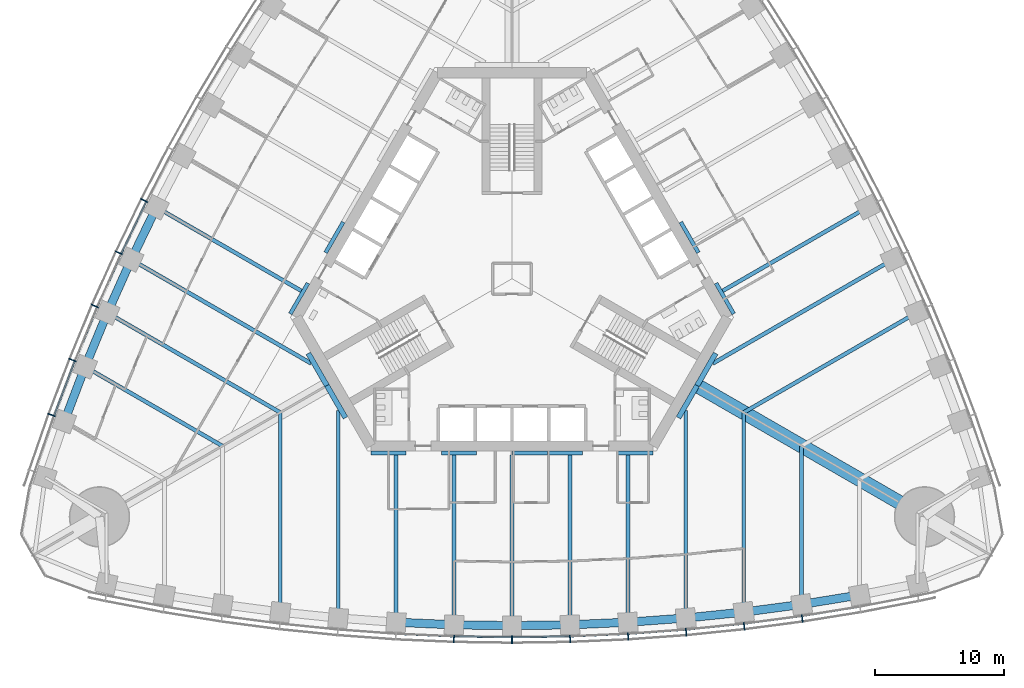
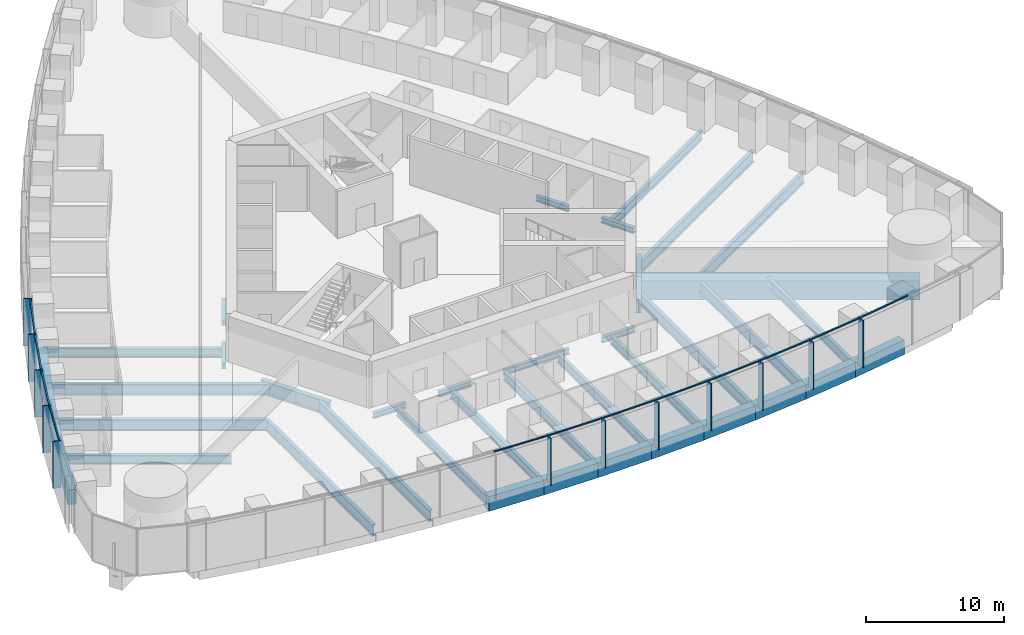
# One storey, part 3 of 18: 43 beams, 24 members, 2 elements without a shape of their own.
"""IFC4 building model written with IfcOpenShell, lengths in metres."""

from ifc_helpers import new_model, si_unit, direction, frame, origin, origin_2d, place, context, subcontext, project, spatial, rectangle, i_section, extrude, material, material_profile, profile_set, type_object, element, aggregate, save


model = new_model("IFC4")

# Units and contexts
model_context = context("Model", 3, precision=1e-05, world=origin(), true_north=direction((0.0, 1.0)))
body_context = subcontext(model_context, "Body", "Model", "MODEL_VIEW")
ifc_project = project(units=[si_unit("LENGTHUNIT", "METRE"), si_unit("AREAUNIT", "SQUARE_METRE"), si_unit("VOLUMEUNIT", "CUBIC_METRE"), si_unit("PLANEANGLEUNIT", "RADIAN"), si_unit("MASSUNIT", "GRAM", prefix="KILO")], contexts=[model_context])

# Site, building, storey
site_placement = place(None, origin())
site = spatial("IfcSite", under=ifc_project, at=site_placement, CompositionType="ELEMENT")
building_placement = place(site_placement, origin())
building = spatial("IfcBuilding", under=site, at=building_placement, Name="Trefoil Bronze Tower", CompositionType="ELEMENT")
storey_placement = place(building_placement, frame((0.0, 0.0, 24.89990234375)))
storey = spatial("IfcBuildingStorey", under=building, at=storey_placement, Name="L05", CompositionType="ELEMENT", Elevation=24.89990234375)

# Curtain wall, members
ifc_material_1 = material(Name="Tinted solar-control glass", Category="glass")
curtain_wall_type = type_object("IfcCurtainWallType", Name="Bronze office curtain wall", PredefinedType="USERDEFINED", material=ifc_material_1)
curtain_wall_1_placement = place(storey_placement, origin())
curtain_wall_1 = element("IfcCurtainWall", 1, at=curtain_wall_1_placement, inside=storey, type_object=curtain_wall_type, Name="CW-A L05 F1", ObjectType="CURTAIN WALL", PredefinedType="USERDEFINED")
ifc_material_2 = material(Name="Bronze-finish aluminium", Category="aluminium")
ifc_material_profile_1 = material_profile(ifc_material_2, rectangle(XDim=0.60009765625, YDim=0.080078125, at=origin_2d()), Name="CW-A mullion")
ifc_profile_set_1 = profile_set([ifc_material_profile_1], Name="Bronze-finish aluminium")
member_type_1 = type_object("IfcMemberType", Name="Bronze office curtain wall mullion", PredefinedType="MULLION", material=ifc_profile_set_1)
member_1_placement = place(storey_placement, frame((-4.5087890625, -27.9833984375, 0.0), z_axis=(0.0, 0.0, 1.0), x_axis=(0.029021671584, 0.999578782577, 0.0)))
member_1 = element("IfcMember", 2, at=member_1_placement, type_object=member_type_1, Name="CW-A L05 F1 mullion 8", PredefinedType="MULLION", context=body_context, shape_type="SweptSolid", body=[
    extrude(rectangle(XDim=0.60009765625, YDim=0.080078125, at=origin_2d()), origin(), (0.0, 0.0, 1.0), 4.18017578125),
])
member_2_placement = place(storey_placement, frame((0.0, -28.048828125, 0.0), z_axis=(0.0, 0.0, 1.0), x_axis=(0.0, 1.0, 0.0)))
member_2 = element("IfcMember", 3, at=member_2_placement, type_object=member_type_1, Name="CW-A L05 F1 mullion 9", PredefinedType="MULLION", context=body_context, shape_type="SweptSolid", body=[
    extrude(rectangle(XDim=0.60009765625, YDim=0.080078125, at=origin_2d()), origin(), (0.0, 0.0, 1.0), 4.18017578125),
])
member_3_placement = place(storey_placement, frame((4.5087890625, -27.9833984375, 0.0), z_axis=(0.0, 0.0, 1.0), x_axis=(-0.029021671584, 0.999578782577, 0.0)))
member_3 = element("IfcMember", 4, at=member_3_placement, type_object=member_type_1, Name="CW-A L05 F1 mullion 10", PredefinedType="MULLION", context=body_context, shape_type="SweptSolid", body=[
    extrude(rectangle(XDim=0.60009765625, YDim=0.080078125, at=origin_2d()), origin(), (0.0, 0.0, 1.0), 4.18017578125),
])
member_4_placement = place(storey_placement, frame((9.017333984375, -27.786865234375, 0.0), z_axis=(0.0, 0.0, 1.0), x_axis=(-0.058043374207, 0.998314062162, 0.0)))
member_4 = element("IfcMember", 5, at=member_4_placement, type_object=member_type_1, Name="CW-A L05 F1 mullion 11", PredefinedType="MULLION", context=body_context, shape_type="SweptSolid", body=[
    extrude(rectangle(XDim=0.60009765625, YDim=0.080078125, at=origin_2d()), origin(), (0.0, 0.0, 1.0), 4.18017578125),
])
member_5_placement = place(storey_placement, frame((13.526123046875, -27.458984375, 0.0), z_axis=(0.0, 0.0, 1.0), x_axis=(-0.087065139456, 0.996202620701, 0.0)))
member_5 = element("IfcMember", 6, at=member_5_placement, type_object=member_type_1, Name="CW-A L05 F1 mullion 12", PredefinedType="MULLION", context=body_context, shape_type="SweptSolid", body=[
    extrude(rectangle(XDim=0.60009765625, YDim=0.080078125, at=origin_2d()), origin(), (0.0, 0.0, 1.0), 4.18017578125),
])
member_6_placement = place(storey_placement, frame((18.034912109375, -26.99853515625, 0.0), z_axis=(0.0, 0.0, 1.0), x_axis=(-0.116086999973, 0.993239048989, 0.0)))
member_6 = element("IfcMember", 7, at=member_6_placement, type_object=member_type_1, Name="CW-A L05 F1 mullion 13", PredefinedType="MULLION", context=body_context, shape_type="SweptSolid", body=[
    extrude(rectangle(XDim=0.60009765625, YDim=0.080078125, at=origin_2d()), origin(), (0.0, 0.0, 1.0), 4.18017578125),
])
member_7_placement = place(storey_placement, frame((22.54345703125, -26.40478515625, 0.0), z_axis=(0.0, 0.0, 1.0), x_axis=(-0.145108990094, 0.989415676546, 0.0)))
member_7 = element("IfcMember", 8, at=member_7_placement, type_object=member_type_1, Name="CW-A L05 F1 mullion 14", PredefinedType="MULLION", context=body_context, shape_type="SweptSolid", body=[
    extrude(rectangle(XDim=0.60009765625, YDim=0.080078125, at=origin_2d()), origin(), (0.0, 0.0, 1.0), 4.18017578125),
])

curtain_wall_2_placement = place(storey_placement, origin())
curtain_wall_2 = element("IfcCurtainWall", 9, at=curtain_wall_2_placement, inside=storey, type_object=curtain_wall_type, Name="CW-A L05 F3", ObjectType="CURTAIN WALL", PredefinedType="USERDEFINED")
member_8_placement = place(storey_placement, frame((-28.57275390625, 6.084228515625, 0.0), z_axis=(0.0, 0.0, 1.0), x_axis=(0.893587025891, -0.448889994497, 0.0)))
member_8 = element("IfcMember", 10, at=member_8_placement, type_object=member_type_1, Name="CW-A L05 F3 mullion 11", PredefinedType="MULLION", context=body_context, shape_type="SweptSolid", body=[
    extrude(rectangle(XDim=0.60009765625, YDim=0.080078125, at=origin_2d()), origin(), (0.0, 0.0, 1.0), 4.18017578125),
])
member_9_placement = place(storey_placement, frame((-30.543212890625, 2.015380859375, 0.0), z_axis=(0.0, 0.0, 1.0), x_axis=(0.906269346572, -0.422700687798, 0.0)))
member_9 = element("IfcMember", 11, at=member_9_placement, type_object=member_type_1, Name="CW-A L05 F3 mullion 12", PredefinedType="MULLION", context=body_context, shape_type="SweptSolid", body=[
    extrude(rectangle(XDim=0.60009765625, YDim=0.080078125, at=origin_2d()), origin(), (0.0, 0.0, 1.0), 4.18017578125),
])
member_10_placement = place(storey_placement, frame((-32.39892578125, -2.119384765625, 0.0), z_axis=(0.0, 0.0, 1.0), x_axis=(0.918213748442, -0.396085233469, 0.0)))
member_10 = element("IfcMember", 12, at=member_10_placement, type_object=member_type_1, Name="CW-A L05 F3 mullion 13", PredefinedType="MULLION", context=body_context, shape_type="SweptSolid", body=[
    extrude(rectangle(XDim=0.60009765625, YDim=0.080078125, at=origin_2d()), origin(), (0.0, 0.0, 1.0), 4.18017578125),
])
member_11_placement = place(storey_placement, frame((-34.138916015625, -6.32080078125, 0.0), z_axis=(0.0, 0.0, 1.0), x_axis=(0.929413605838, -0.369039766534, 0.0)))
member_11 = element("IfcMember", 13, at=member_11_placement, type_object=member_type_1, Name="CW-A L05 F3 mullion 14", PredefinedType="MULLION", context=body_context, shape_type="SweptSolid", body=[
    extrude(rectangle(XDim=0.60009765625, YDim=0.080078125, at=origin_2d()), origin(), (0.0, 0.0, 1.0), 4.18017578125),
])
member_12_placement = place(storey_placement, frame((-35.761962890625, -10.590087890625, 0.0), z_axis=(0.0, 0.0, 1.0), x_axis=(0.939860248316, -0.341559238839, 0.0)))
member_12 = element("IfcMember", 14, at=member_12_placement, type_object=member_type_1, Name="CW-A L05 F3 mullion 15", PredefinedType="MULLION", context=body_context, shape_type="SweptSolid", body=[
    extrude(rectangle(XDim=0.60009765625, YDim=0.080078125, at=origin_2d()), origin(), (0.0, 0.0, 1.0), 4.18017578125),
])

# Member
ifc_material_3 = material(Name="Bronze-finish aluminium", Category="aluminium")
ifc_material_profile_2 = material_profile(ifc_material_3, rectangle(XDim=0.1201171875, YDim=0.10009765625, at=origin_2d()), Name="CW-A transom")
ifc_profile_set_2 = profile_set([ifc_material_profile_2], Name="Bronze-finish aluminium")
member_type_2 = type_object("IfcMemberType", Name="Bronze office curtain wall transom", PredefinedType="USERDEFINED", material=ifc_profile_set_2)
member_13_placement = place(storey_placement, frame((-8.96435546875, -27.589111328125, 4.130126953125), z_axis=(0.999054074786, -0.043485119914, 0.0), x_axis=(0.043485119914, 0.999054074786, 0.0)))
member_13 = element("IfcMember", 15, at=member_13_placement, type_object=member_type_2, Name="CW-A L05 F1 transom 7", ObjectType="TRANSOM", PredefinedType="USERDEFINED", context=body_context, shape_type="SweptSolid", body=[
    extrude(rectangle(XDim=0.1201171875, YDim=0.10009765625, at=origin_2d()), origin(), (0.0, 0.0, 1.0), 4.424072265625),
])

member_14_placement = place(storey_placement, frame((-4.46142578125, -27.783935546875, 4.130126953125), z_axis=(0.999894497273, -0.014525643658, 0.0), x_axis=(0.014525643658, 0.999894497273, 0.0)))
member_14 = element("IfcMember", 16, at=member_14_placement, type_object=member_type_2, Name="CW-A L05 F1 transom 8", ObjectType="TRANSOM", PredefinedType="USERDEFINED", context=body_context, shape_type="SweptSolid", body=[
    extrude(rectangle(XDim=0.1201171875, YDim=0.10009765625, at=origin_2d()), origin(), (0.0, 0.0, 1.0), 4.42041015625),
])

member_15_placement = place(storey_placement, frame((0.04150390625, -27.84814453125, 4.130126953125), z_axis=(0.999894497273, 0.014525643658, 0.0), x_axis=(-0.014525643658, 0.999894497273, 0.0)))
member_15 = element("IfcMember", 17, at=member_15_placement, type_object=member_type_2, Name="CW-A L05 F1 transom 9", ObjectType="TRANSOM", PredefinedType="USERDEFINED", context=body_context, shape_type="SweptSolid", body=[
    extrude(rectangle(XDim=0.1201171875, YDim=0.10009765625, at=origin_2d()), origin(), (0.0, 0.0, 1.0), 4.42041015625),
])

member_16_placement = place(storey_placement, frame((4.54443359375, -27.781494140625, 4.130126953125), z_axis=(0.999054074786, 0.043485119914, 0.0), x_axis=(-0.043485119914, 0.999054074786, 0.0)))
member_16 = element("IfcMember", 18, at=member_16_placement, type_object=member_type_2, Name="CW-A L05 F1 transom 10", ObjectType="TRANSOM", PredefinedType="USERDEFINED", context=body_context, shape_type="SweptSolid", body=[
    extrude(rectangle(XDim=0.1201171875, YDim=0.10009765625, at=origin_2d()), origin(), (0.0, 0.0, 1.0), 4.424072265625),
])

member_17_placement = place(storey_placement, frame((9.047119140625, -27.584228515625, 4.130126953125), z_axis=(0.997364729945, 0.07255064067, 0.0), x_axis=(-0.07255064067, 0.997364729945, 0.0)))
member_17 = element("IfcMember", 19, at=member_17_placement, type_object=member_type_2, Name="CW-A L05 F1 transom 11", ObjectType="TRANSOM", PredefinedType="USERDEFINED", context=body_context, shape_type="SweptSolid", body=[
    extrude(rectangle(XDim=0.1201171875, YDim=0.10009765625, at=origin_2d()), origin(), (0.0, 0.0, 1.0), 4.431884765625),
])

member_18_placement = place(storey_placement, frame((13.550048828125, -27.25537109375, 4.130126953125), z_axis=(0.994831650915, 0.101538102888, 0.0), x_axis=(-0.101538102888, 0.994831650915, 0.0)))
member_18 = element("IfcMember", 20, at=member_18_placement, type_object=member_type_2, Name="CW-A L05 F1 transom 12", ObjectType="TRANSOM", PredefinedType="USERDEFINED", context=body_context, shape_type="SweptSolid", body=[
    extrude(rectangle(XDim=0.1201171875, YDim=0.10009765625, at=origin_2d()), origin(), (0.0, 0.0, 1.0), 4.443359375),
])

member_19_placement = place(storey_placement, frame((18.052734375, -26.79443359375, 4.130126953125), z_axis=(0.991436581643, 0.13058906761, 0.0), x_axis=(-0.13058906761, 0.991436581643, 0.0)))
member_19 = element("IfcMember", 21, at=member_19_placement, type_object=member_type_2, Name="CW-A L05 F1 transom 13", ObjectType="TRANSOM", PredefinedType="USERDEFINED", context=body_context, shape_type="SweptSolid", body=[
    extrude(rectangle(XDim=0.1201171875, YDim=0.10009765625, at=origin_2d()), origin(), (0.0, 0.0, 1.0), 4.458740234375),
])

member_20_placement = place(storey_placement, frame((22.555419921875, -26.2001953125, 4.130126953125), z_axis=(0.987179401487, 0.159614627398, 0.0), x_axis=(-0.159614627398, 0.987179401487, 0.0)))
member_20 = element("IfcMember", 22, at=member_20_placement, type_object=member_type_2, Name="CW-A L05 F1 transom 14", ObjectType="TRANSOM", PredefinedType="USERDEFINED", context=body_context, shape_type="SweptSolid", body=[
    extrude(rectangle(XDim=0.1201171875, YDim=0.10009765625, at=origin_2d()), origin(), (0.0, 0.0, 1.0), 4.478515625),
])

aggregate(curtain_wall_1, [member_1, member_2, member_3, member_4, member_5, member_6, member_7, member_13, member_14, member_15, member_16, member_17, member_18, member_19, member_20])

member_21_placement = place(storey_placement, frame((-28.412109375, 5.95703125, 4.130126953125), z_axis=(-0.435851763293, -0.900018466719, 0.0), x_axis=(0.900018466719, -0.435851763293, 0.0)))
member_21 = element("IfcMember", 23, at=member_21_placement, type_object=member_type_2, Name="CW-A L05 F3 transom 11", ObjectType="TRANSOM", PredefinedType="USERDEFINED", context=body_context, shape_type="SweptSolid", body=[
    extrude(rectangle(XDim=0.1201171875, YDim=0.10009765625, at=origin_2d()), origin(), (0.0, 0.0, 1.0), 4.431884765625),
])

member_22_placement = place(storey_placement, frame((-30.37890625, 1.89306640625, 4.130126953125), z_axis=(-0.409459746452, -0.912328184392, 0.0), x_axis=(0.912328184392, -0.409459746452, 0.0)))
member_22 = element("IfcMember", 24, at=member_22_placement, type_object=member_type_2, Name="CW-A L05 F3 transom 12", ObjectType="TRANSOM", PredefinedType="USERDEFINED", context=body_context, shape_type="SweptSolid", body=[
    extrude(rectangle(XDim=0.1201171875, YDim=0.10009765625, at=origin_2d()), origin(), (0.0, 0.0, 1.0), 4.443359375),
])

member_23_placement = place(storey_placement, frame((-32.231201171875, -2.23681640625, 4.130126953125), z_axis=(-0.382616149417, -0.923907399151, 0.0), x_axis=(0.923907399151, -0.382616149417, 0.0)))
member_23 = element("IfcMember", 25, at=member_23_placement, type_object=member_type_2, Name="CW-A L05 F3 transom 13", ObjectType="TRANSOM", PredefinedType="USERDEFINED", context=body_context, shape_type="SweptSolid", body=[
    extrude(rectangle(XDim=0.1201171875, YDim=0.10009765625, at=origin_2d()), origin(), (0.0, 0.0, 1.0), 4.458984375),
])

member_24_placement = place(storey_placement, frame((-33.9677734375, -6.433349609375, 4.130126953125), z_axis=(-0.355367327392, -0.934726731522, 0.0), x_axis=(0.934726731522, -0.355367327392, 0.0)))
member_24 = element("IfcMember", 26, at=member_24_placement, type_object=member_type_2, Name="CW-A L05 F3 transom 14", ObjectType="TRANSOM", PredefinedType="USERDEFINED", context=body_context, shape_type="SweptSolid", body=[
    extrude(rectangle(XDim=0.1201171875, YDim=0.10009765625, at=origin_2d()), origin(), (0.0, 0.0, 1.0), 4.478515625),
])

aggregate(curtain_wall_2, [member_8, member_9, member_10, member_11, member_12, member_21, member_22, member_23, member_24])

# Beams
ifc_material_4 = material(Name="Steel C355", Category="steel")
ifc_material_profile_3 = material_profile(ifc_material_4, i_section(OverallWidth=0.300048828125, OverallDepth=0.5, WebThickness=0.014404296875, FlangeThickness=0.028076171875, FilletRadius=0.027099609375, at=origin_2d()), Name="HEB 500")
ifc_profile_set_3 = profile_set([ifc_material_profile_3], Name="Steel C355")
beam_type_1 = type_object("IfcBeamType", Name="Core seat beam HEB 500", PredefinedType="BEAM", material=ifc_profile_set_3)
for number, where, z_axis, x_axis, name in (
    (27, (-10.9697265625, -13.550048828125, -0.449951171875), (1.0, 0.0, 0.0), (0.0, 1.0, 0.0), "Core seat beam F1/-2 L05"),
    (28, (-5.48486328125, -13.550048828125, -0.449951171875), (1.0, 0.0, 0.0), (0.0, 1.0, 0.0), "Core seat beam F1/-1 L05"),
    (29, (0.0, -13.550048828125, -0.449951171875), (1.0, 0.0, 0.0), (0.0, 1.0, 0.0), "Core seat beam F1/+0 L05"),
    (30, (2.742431640625, -13.550048828125, -0.449951171875), (1.0, 0.0, 0.0), (0.0, 1.0, 0.0), "Core seat beam F1/+1 L05"),
    (31, (8.227294921875, -13.550048828125, -0.449951171875), (1.0, 0.0, 0.0), (0.0, 1.0, 0.0), "Core seat beam F1/+2 L05"),
    (32, (17.219482421875, -2.72509765625, -0.449951171875), (-0.500035825175, 0.866004719122, 0.0), (-0.866004719122, -0.500035825175, 0.0), "Core seat beam F2/-2 L05"),
    (33, (14.47705078125, 2.02490234375, -0.449951171875), (-0.499969057507, 0.866043267704, 0.0), (-0.866043267704, -0.499969057507, 0.0), "Core seat beam F2/-1 L05"),
    (34, (-13.10595703125, 4.39990234375, -0.449951171875), (-0.499969057507, -0.866043267704, 0.0), (0.866043267704, -0.499969057507, 0.0), "Core seat beam F3/+1 L05"),
    (35, (-15.84814453125, -0.35009765625, -0.449951171875), (-0.500035825175, -0.866004719122, 0.0), (0.866004719122, -0.500035825175, 0.0), "Core seat beam F3/+2 L05"),
):
    element("IfcBeam", number, at=place(storey_placement, frame(where, z_axis=z_axis, x_axis=x_axis)), inside=storey, type_object=beam_type_1, Name=name, PredefinedType="BEAM", context=body_context, shape_type="SweptSolid", body=[
        extrude(i_section(OverallWidth=0.300048828125, OverallDepth=0.5, WebThickness=0.014404296875, FlangeThickness=0.028076171875, FilletRadius=0.027099609375, at=origin_2d()), origin(), (0.0, 0.0, 1.0), 2.742431640625),
    ])
ifc_material_5 = material(Name="Steel C355", Category="steel")
ifc_material_profile_4 = material_profile(ifc_material_5, i_section(OverallWidth=0.39990234375, OverallDepth=1.199951171875, WebThickness=0.02001953125, FlangeThickness=0.0400390625, FilletRadius=0.010009765625, at=origin_2d()), Name="WPG 1200")
ifc_profile_set_4 = profile_set([ifc_material_profile_4], Name="Steel C355")
beam_type_2 = type_object("IfcBeamType", Name="Core seat beam WPG 1200", PredefinedType="BEAM", material=ifc_profile_set_4)
for number, where, z_axis, x_axis, name in (
    (36, (-14.3759765625, -8.300048828125, -0.7998046875), (0.499995765644, -0.866027848477, 0.0), (0.866027848477, 0.499995765644, 0.0), "Core seat beam F1/-3 L05"),
    (37, (12.9326171875, -10.800048828125, -0.7998046875), (0.499995765644, 0.866027848477, 0.0), (-0.866027848477, 0.499995765644, 0.0), "Core seat beam F1/+3 L05"),
    (38, (14.3759765625, -8.300048828125, -0.7998046875), (0.499995765644, 0.866027848477, 0.0), (-0.866027848477, 0.499995765644, 0.0), "Core seat beam F2/-3 L05"),
    (39, (-15.8193359375, -5.800048828125, -0.7998046875), (0.499995765644, -0.866027848477, 0.0), (0.866027848477, 0.499995765644, 0.0), "Core seat beam F3/+3 L05"),
):
    element("IfcBeam", number, at=place(storey_placement, frame(where, z_axis=z_axis, x_axis=x_axis)), inside=storey, type_object=beam_type_2, Name=name, PredefinedType="BEAM", context=body_context, shape_type="SweptSolid", body=[
        extrude(i_section(OverallWidth=0.39990234375, OverallDepth=1.199951171875, WebThickness=0.02001953125, FlangeThickness=0.0400390625, FilletRadius=0.010009765625, at=origin_2d()), origin(), (0.0, 0.0, 1.0), 2.88671875),
    ])
ifc_material_6 = material(Name="Concrete B80", Category="concrete")
ifc_material_profile_5 = material_profile(ifc_material_6, rectangle(XDim=1.10009765625, YDim=1.699951171875, at=origin_2d()), Name="RC 1100x1700")
ifc_profile_set_5 = profile_set([ifc_material_profile_5], Name="Concrete B80")
beam_type_3 = type_object("IfcBeamType", Name="Corner girder RC 1100x1700", PredefinedType="BEAM", material=ifc_profile_set_5)
beam_1_placement = place(storey_placement, frame((14.202880859375, -8.199951171875, -1.0498046875), z_axis=(0.866023947468, -0.500002522405, 0.0), x_axis=(0.500002522405, 0.866023947468, 0.0)))
element("IfcBeam", 40, at=beam_1_placement, inside=storey, type_object=beam_type_3, Name="Corner girder K1 L05", PredefinedType="BEAM", context=body_context, shape_type="SweptSolid", body=[
    extrude(rectangle(XDim=1.10009765625, YDim=1.699951171875, at=origin_2d()), origin(), (0.0, 0.0, 1.0), 20.60009765625),
])
ifc_material_7 = material(Name="Steel C355", Category="steel")
ifc_material_profile_6 = material_profile(ifc_material_7, i_section(OverallWidth=0.300048828125, OverallDepth=1.0, WebThickness=0.01904296875, FlangeThickness=0.035888671875, FilletRadius=0.030029296875, at=origin_2d()), Name="HEB 1000")
ifc_profile_set_6 = profile_set([ifc_material_profile_6], Name="Steel C355")
beam_type_4 = type_object("IfcBeamType", Name="Floor beam HEB 1000", PredefinedType="BEAM", material=ifc_profile_set_6)
for number, where, z_axis, x_axis, name in (
    (41, (-18.0, -25.895263671875, -0.699951171875), (0.0, 1.0, 0.0), (-1.0, 0.0, 0.0), "Floor beam F1/-4 L05"),
    (42, (18.0, -25.895263671875, -0.699951171875), (0.0, 1.0, 0.0), (-1.0, 0.0, 0.0), "Floor beam F1/+4 L05"),
):
    element("IfcBeam", number, at=place(storey_placement, frame(where, z_axis=z_axis, x_axis=x_axis)), inside=storey, type_object=beam_type_4, Name=name, PredefinedType="BEAM", context=body_context, shape_type="SweptSolid", body=[
        extrude(i_section(OverallWidth=0.300048828125, OverallDepth=1.0, WebThickness=0.01904296875, FlangeThickness=0.035888671875, FilletRadius=0.030029296875, at=origin_2d()), origin(), (0.0, 0.0, 1.0), 15.5029296875),
    ])
for number, where, z_axis, x_axis, name in (
    (43, (31.42578125, -2.640869140625, -0.699951171875), (-0.866022989816, -0.500004181093, 0.0), (0.500004181093, -0.866022989816, 0.0), "Floor beam F2/-4 L05"),
    (44, (-31.42578125, -2.640869140625, -0.699951171875), (0.866022989816, -0.500004181093, 0.0), (0.500004181093, 0.866022989816, 0.0), "Floor beam F3/+4 L05"),
):
    element("IfcBeam", number, at=place(storey_placement, frame(where, z_axis=z_axis, x_axis=x_axis)), inside=storey, type_object=beam_type_4, Name=name, PredefinedType="BEAM", context=body_context, shape_type="SweptSolid", body=[
        extrude(i_section(OverallWidth=0.300048828125, OverallDepth=1.0, WebThickness=0.01904296875, FlangeThickness=0.035888671875, FilletRadius=0.030029296875, at=origin_2d()), origin(), (0.0, 0.0, 1.0), 15.502685546875),
    ])
ifc_material_8 = material(Name="Steel C355", Category="steel")
ifc_material_profile_7 = material_profile(ifc_material_8, i_section(OverallWidth=0.300048828125, OverallDepth=0.800048828125, WebThickness=0.017578125, FlangeThickness=0.032958984375, FilletRadius=0.030029296875, at=origin_2d()), Name="HEB 800")
ifc_profile_set_7 = profile_set([ifc_material_profile_7], Name="Steel C355")
beam_type_5 = type_object("IfcBeamType", Name="Floor beam HEB 800", PredefinedType="BEAM", material=ifc_profile_set_7)
beam_2_placement = place(storey_placement, frame((-9.0, -26.68603515625, -0.599853515625), z_axis=(0.0, 1.0, 0.0), x_axis=(-1.0, 0.0, 0.0)))
element("IfcBeam", 45, at=beam_2_placement, inside=storey, type_object=beam_type_5, Name="Floor beam F1/-2 L05", PredefinedType="BEAM", context=body_context, shape_type="SweptSolid", body=[
    extrude(i_section(OverallWidth=0.300048828125, OverallDepth=0.800048828125, WebThickness=0.017578125, FlangeThickness=0.032958984375, FilletRadius=0.030029296875, at=origin_2d()), origin(), (0.0, 0.0, 1.0), 12.986083984375),
])
beam_3_placement = place(storey_placement, frame((-4.5, -26.883056640625, -0.599853515625), z_axis=(0.0, 1.0, 0.0), x_axis=(-1.0, 0.0, 0.0)))
element("IfcBeam", 46, at=beam_3_placement, inside=storey, type_object=beam_type_5, Name="Floor beam F1/-1 L05", PredefinedType="BEAM", context=body_context, shape_type="SweptSolid", body=[
    extrude(i_section(OverallWidth=0.300048828125, OverallDepth=0.800048828125, WebThickness=0.017578125, FlangeThickness=0.032958984375, FilletRadius=0.030029296875, at=origin_2d()), origin(), (0.0, 0.0, 1.0), 13.18310546875),
])
beam_4_placement = place(storey_placement, frame((0.0, -26.94873046875, -0.599853515625), z_axis=(0.0, 1.0, 0.0), x_axis=(-1.0, 0.0, 0.0)))
element("IfcBeam", 47, at=beam_4_placement, inside=storey, type_object=beam_type_5, Name="Floor beam F1/+0 L05", PredefinedType="BEAM", context=body_context, shape_type="SweptSolid", body=[
    extrude(i_section(OverallWidth=0.300048828125, OverallDepth=0.800048828125, WebThickness=0.017578125, FlangeThickness=0.032958984375, FilletRadius=0.030029296875, at=origin_2d()), origin(), (0.0, 0.0, 1.0), 13.248779296875),
])
beam_5_placement = place(storey_placement, frame((4.5, -26.883056640625, -0.599853515625), z_axis=(0.0, 1.0, 0.0), x_axis=(-1.0, 0.0, 0.0)))
element("IfcBeam", 48, at=beam_5_placement, inside=storey, type_object=beam_type_5, Name="Floor beam F1/+1 L05", PredefinedType="BEAM", context=body_context, shape_type="SweptSolid", body=[
    extrude(i_section(OverallWidth=0.300048828125, OverallDepth=0.800048828125, WebThickness=0.017578125, FlangeThickness=0.032958984375, FilletRadius=0.030029296875, at=origin_2d()), origin(), (0.0, 0.0, 1.0), 13.18310546875),
])
beam_6_placement = place(storey_placement, frame((9.0, -26.68603515625, -0.599853515625), z_axis=(0.0, 1.0, 0.0), x_axis=(-1.0, 0.0, 0.0)))
element("IfcBeam", 49, at=beam_6_placement, inside=storey, type_object=beam_type_5, Name="Floor beam F1/+2 L05", PredefinedType="BEAM", context=body_context, shape_type="SweptSolid", body=[
    extrude(i_section(OverallWidth=0.300048828125, OverallDepth=0.800048828125, WebThickness=0.017578125, FlangeThickness=0.032958984375, FilletRadius=0.030029296875, at=origin_2d()), origin(), (0.0, 0.0, 1.0), 12.986083984375),
])
beam_7_placement = place(storey_placement, frame((22.5, -25.29931640625, -0.599853515625), z_axis=(0.0, 1.0, 0.0), x_axis=(-1.0, 0.0, 0.0)))
element("IfcBeam", 50, at=beam_7_placement, inside=storey, type_object=beam_type_5, Name="Floor beam F1/+5 L05", PredefinedType="BEAM", context=body_context, shape_type="SweptSolid", body=[
    extrude(i_section(OverallWidth=0.300048828125, OverallDepth=0.800048828125, WebThickness=0.017578125, FlangeThickness=0.032958984375, FilletRadius=0.030029296875, at=origin_2d()), origin(), (0.0, 0.0, 1.0), 12.308837890625),
])
for number, where, z_axis, x_axis, name in (
    (51, (27.61083984375, 5.548828125, -0.599853515625), (-0.866022474361, -0.500005073876, 0.0), (0.500005073876, -0.866022474361, 0.0), "Floor beam F2/-2 L05"),
    (52, (-27.61083984375, 5.548828125, -0.599853515625), (0.866022474361, -0.500005073876, 0.0), (0.500005073876, 0.866022474361, 0.0), "Floor beam F3/+2 L05"),
):
    element("IfcBeam", number, at=place(storey_placement, frame(where, z_axis=z_axis, x_axis=x_axis)), inside=storey, type_object=beam_type_5, Name=name, PredefinedType="BEAM", context=body_context, shape_type="SweptSolid", body=[
        extrude(i_section(OverallWidth=0.300048828125, OverallDepth=0.800048828125, WebThickness=0.017578125, FlangeThickness=0.032958984375, FilletRadius=0.030029296875, at=origin_2d()), origin(), (0.0, 0.0, 1.0), 12.986083984375),
    ])
beam_8_placement = place(storey_placement, frame((-33.159912109375, -6.8359375, -0.599853515625), z_axis=(0.866024070878, -0.500002308654, 0.0), x_axis=(0.500002308654, 0.866024070878, 0.0)))
element("IfcBeam", 53, at=beam_8_placement, inside=storey, type_object=beam_type_5, Name="Floor beam F3/+5 L05", PredefinedType="BEAM", context=body_context, shape_type="SweptSolid", body=[
    extrude(i_section(OverallWidth=0.300048828125, OverallDepth=0.800048828125, WebThickness=0.017578125, FlangeThickness=0.032958984375, FilletRadius=0.030029296875, at=origin_2d()), origin(), (0.0, 0.0, 1.0), 12.30908203125),
])
ifc_material_9 = material(Name="Steel C355", Category="steel")
ifc_material_profile_8 = material_profile(ifc_material_9, i_section(OverallWidth=0.302001953125, OverallDepth=1.008056640625, WebThickness=0.02099609375, FlangeThickness=0.0400390625, FilletRadius=0.030029296875, at=origin_2d()), Name="HEM 1000")
ifc_profile_set_8 = profile_set([ifc_material_profile_8], Name="Steel C355")
beam_type_6 = type_object("IfcBeamType", Name="Floor beam HEM 1000", PredefinedType="BEAM", material=ifc_profile_set_8)
for number, where, z_axis, x_axis, name in (
    (54, (-13.5, -26.35693359375, -0.703857421875), (0.0, 1.0, 0.0), (-1.0, 0.0, 0.0), "Floor beam F1/-3 L05"),
    (55, (13.5, -26.35693359375, -0.703857421875), (0.0, 1.0, 0.0), (-1.0, 0.0, 0.0), "Floor beam F1/+3 L05"),
):
    element("IfcBeam", number, at=place(storey_placement, frame(where, z_axis=z_axis, x_axis=x_axis)), inside=storey, type_object=beam_type_6, Name=name, PredefinedType="BEAM", context=body_context, shape_type="SweptSolid", body=[
        extrude(i_section(OverallWidth=0.302001953125, OverallDepth=1.008056640625, WebThickness=0.02099609375, FlangeThickness=0.0400390625, FilletRadius=0.030029296875, at=origin_2d()), origin(), (0.0, 0.0, 1.0), 16.1396484375),
    ])
for number, where, z_axis, x_axis, name in (
    (56, (29.575927734375, 1.487060546875, -0.703857421875), (-0.866028401131, -0.499994808408, 0.0), (0.499994808408, -0.866028401131, 0.0), "Floor beam F2/-3 L05"),
    (57, (-29.575927734375, 1.487060546875, -0.703857421875), (0.866028401131, -0.499994808408, 0.0), (0.499994808408, 0.866028401131, 0.0), "Floor beam F3/+3 L05"),
):
    element("IfcBeam", number, at=place(storey_placement, frame(where, z_axis=z_axis, x_axis=x_axis)), inside=storey, type_object=beam_type_6, Name=name, PredefinedType="BEAM", context=body_context, shape_type="SweptSolid", body=[
        extrude(i_section(OverallWidth=0.302001953125, OverallDepth=1.008056640625, WebThickness=0.02099609375, FlangeThickness=0.0400390625, FilletRadius=0.030029296875, at=origin_2d()), origin(), (0.0, 0.0, 1.0), 16.139892578125),
    ])
ifc_material_10 = material(Name="Concrete B80", Category="concrete")
ifc_material_profile_9 = material_profile(ifc_material_10, rectangle(XDim=0.64990234375, YDim=1.300048828125, at=origin_2d()), Name="RC 650x1300")
ifc_profile_set_9 = profile_set([ifc_material_profile_9], Name="Concrete B80")
beam_type_7 = type_object("IfcBeamType", Name="Spandrel beam RC 650x1300", PredefinedType="SPANDREL", material=ifc_profile_set_9)
beam_9_placement = place(storey_placement, frame((-9.0, -26.68603515625, -0.849853515625), z_axis=(0.999042919826, -0.043740648671, 0.0), x_axis=(0.043740648671, 0.999042919826, 0.0)))
element("IfcBeam", 58, at=beam_9_placement, inside=storey, type_object=beam_type_7, Name="Spandrel F1.7 L05", PredefinedType="SPANDREL", context=body_context, shape_type="SweptSolid", body=[
    extrude(rectangle(XDim=0.64990234375, YDim=1.300048828125, at=origin_2d()), origin(), (0.0, 0.0, 1.0), 4.50439453125),
])
for number, where, z_axis, x_axis, name in (
    (59, (-4.5, -26.883056640625, -0.849853515625), (0.999893521905, -0.014592630067, 0.0), (0.014592630067, 0.999893521905, 0.0), "Spandrel F1.8 L05"),
    (60, (0.0, -26.94873046875, -0.849853515625), (0.999893521905, 0.014592630067, 0.0), (-0.014592630067, 0.999893521905, 0.0), "Spandrel F1.9 L05"),
):
    element("IfcBeam", number, at=place(storey_placement, frame(where, z_axis=z_axis, x_axis=x_axis)), inside=storey, type_object=beam_type_7, Name=name, PredefinedType="SPANDREL", context=body_context, shape_type="SweptSolid", body=[
        extrude(rectangle(XDim=0.64990234375, YDim=1.300048828125, at=origin_2d()), origin(), (0.0, 0.0, 1.0), 4.50048828125),
    ])
beam_10_placement = place(storey_placement, frame((4.5, -26.883056640625, -0.849853515625), z_axis=(0.999042919826, 0.043740648671, 0.0), x_axis=(-0.043740648671, 0.999042919826, 0.0)))
element("IfcBeam", 61, at=beam_10_placement, inside=storey, type_object=beam_type_7, Name="Spandrel F1.10 L05", PredefinedType="SPANDREL", context=body_context, shape_type="SweptSolid", body=[
    extrude(rectangle(XDim=0.64990234375, YDim=1.300048828125, at=origin_2d()), origin(), (0.0, 0.0, 1.0), 4.50439453125),
])
beam_11_placement = place(storey_placement, frame((9.0, -26.68603515625, -0.849853515625), z_axis=(0.997336412354, 0.072938882588, 0.0), x_axis=(-0.072938882588, 0.997336412354, 0.0)))
element("IfcBeam", 62, at=beam_11_placement, inside=storey, type_object=beam_type_7, Name="Spandrel F1.11 L05", PredefinedType="SPANDREL", context=body_context, shape_type="SweptSolid", body=[
    extrude(rectangle(XDim=0.64990234375, YDim=1.300048828125, at=origin_2d()), origin(), (0.0, 0.0, 1.0), 4.511962890625),
])
beam_12_placement = place(storey_placement, frame((13.5, -26.35693359375, -0.849853515625), z_axis=(0.994778488621, 0.102057623805, 0.0), x_axis=(-0.102057623805, 0.994778488621, 0.0)))
element("IfcBeam", 63, at=beam_12_placement, inside=storey, type_object=beam_type_7, Name="Spandrel F1.12 L05", PredefinedType="SPANDREL", context=body_context, shape_type="SweptSolid", body=[
    extrude(rectangle(XDim=0.64990234375, YDim=1.300048828125, at=origin_2d()), origin(), (0.0, 0.0, 1.0), 4.523681640625),
])
beam_13_placement = place(storey_placement, frame((18.0, -25.895263671875, -0.849853515625), z_axis=(0.991344474846, 0.131286450906, 0.0), x_axis=(-0.131286450906, 0.991344474846, 0.0)))
element("IfcBeam", 64, at=beam_13_placement, inside=storey, type_object=beam_type_7, Name="Spandrel F1.13 L05", PredefinedType="SPANDREL", context=body_context, shape_type="SweptSolid", body=[
    extrude(rectangle(XDim=0.64990234375, YDim=1.300048828125, at=origin_2d()), origin(), (0.0, 0.0, 1.0), 4.539306640625),
])
beam_14_placement = place(storey_placement, frame((22.5, -25.29931640625, -0.849853515625), z_axis=(0.987045951254, 0.160437807615, 0.0), x_axis=(-0.160437807615, 0.987045951254, 0.0)))
element("IfcBeam", 65, at=beam_14_placement, inside=storey, type_object=beam_type_7, Name="Spandrel F1.14 L05", PredefinedType="SPANDREL", context=body_context, shape_type="SweptSolid", body=[
    extrude(rectangle(XDim=0.64990234375, YDim=1.300048828125, at=origin_2d()), origin(), (0.0, 0.0, 1.0), 4.55908203125),
])
beam_15_placement = place(storey_placement, frame((-27.61083984375, 5.548828125, -0.849853515625), z_axis=(-0.435510013583, -0.900183885697, 0.0), x_axis=(0.900183885697, -0.435510013583, 0.0)))
element("IfcBeam", 66, at=beam_15_placement, inside=storey, type_object=beam_type_7, Name="Spandrel F3.11 L05", PredefinedType="SPANDREL", context=body_context, shape_type="SweptSolid", body=[
    extrude(rectangle(XDim=0.64990234375, YDim=1.300048828125, at=origin_2d()), origin(), (0.0, 0.0, 1.0), 4.51220703125),
])
beam_16_placement = place(storey_placement, frame((-29.575927734375, 1.487060546875, -0.849853515625), z_axis=(-0.408945873044, -0.912558640812, 0.0), x_axis=(0.912558640812, -0.408945873044, 0.0)))
element("IfcBeam", 67, at=beam_16_placement, inside=storey, type_object=beam_type_7, Name="Spandrel F3.12 L05", PredefinedType="SPANDREL", context=body_context, shape_type="SweptSolid", body=[
    extrude(rectangle(XDim=0.64990234375, YDim=1.300048828125, at=origin_2d()), origin(), (0.0, 0.0, 1.0), 4.5234375),
])
beam_17_placement = place(storey_placement, frame((-31.42578125, -2.640869140625, -0.849853515625), z_axis=(-0.382020825144, -0.924153715113, 0.0), x_axis=(0.924153715113, -0.382020825144, 0.0)))
element("IfcBeam", 68, at=beam_17_placement, inside=storey, type_object=beam_type_7, Name="Spandrel F3.13 L05", PredefinedType="SPANDREL", context=body_context, shape_type="SweptSolid", body=[
    extrude(rectangle(XDim=0.64990234375, YDim=1.300048828125, at=origin_2d()), origin(), (0.0, 0.0, 1.0), 4.539306640625),
])
beam_18_placement = place(storey_placement, frame((-33.159912109375, -6.8359375, -0.849853515625), z_axis=(-0.354571899767, -0.935028752443, 0.0), x_axis=(0.935028752443, -0.354571899767, 0.0)))
element("IfcBeam", 69, at=beam_18_placement, inside=storey, type_object=beam_type_7, Name="Spandrel F3.14 L05", PredefinedType="SPANDREL", context=body_context, shape_type="SweptSolid", body=[
    extrude(rectangle(XDim=0.64990234375, YDim=1.300048828125, at=origin_2d()), origin(), (0.0, 0.0, 1.0), 4.558837890625),
])

save(model, "model.ifc")
